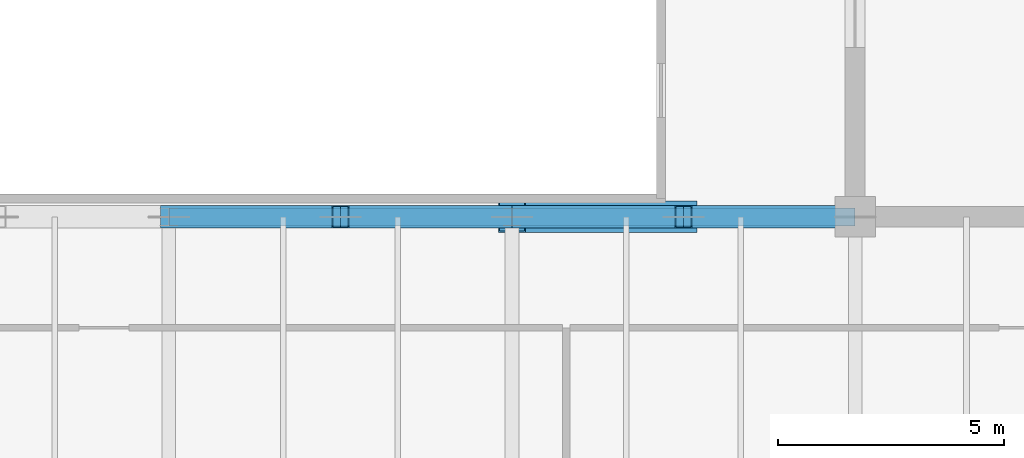
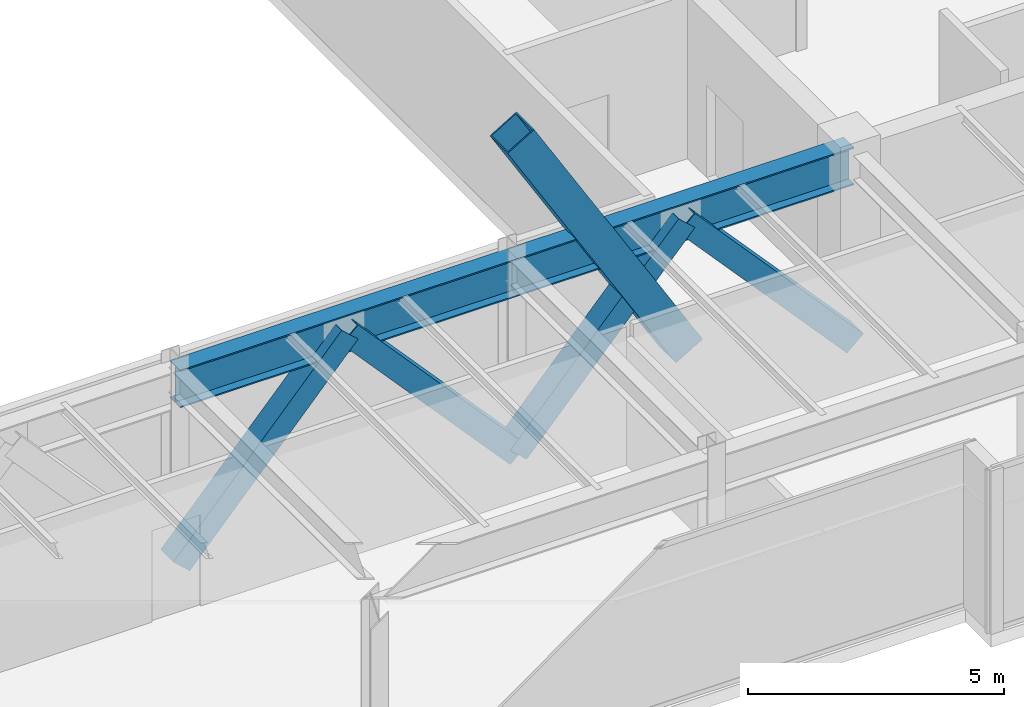
# One storey, part 12 of 32: 5 members, 2 beams.
"""IFC4 building model written with IfcOpenShell, lengths in metres."""

from ifc_helpers import new_model, si_unit, direction, frame, origin, origin_2d, place, context, subcontext, project, spatial, hollow_rectangle, i_section, extrude, source, transform, mapped, material, material_profile, profile_set, type_object, type_shapes, element, save


model = new_model("IFC4")

# Units and contexts
model_context = context("Model", 3, precision=1e-05, world=origin(), true_north=direction((0.0, 1.0)))
body_context = subcontext(model_context, "Body", "Model", "MODEL_VIEW")
ifc_project = project(units=[si_unit("LENGTHUNIT", "METRE"), si_unit("AREAUNIT", "SQUARE_METRE"), si_unit("VOLUMEUNIT", "CUBIC_METRE"), si_unit("PLANEANGLEUNIT", "RADIAN"), si_unit("MASSUNIT", "GRAM", prefix="KILO")], contexts=[model_context])

# Site, building, storey
site_placement = place(None, origin())
site = spatial("IfcSite", under=ifc_project, at=site_placement, CompositionType="ELEMENT")
building_placement = place(site_placement, origin())
building = spatial("IfcBuilding", under=site, at=building_placement, Name="Haelvirn Gate Laboratories", CompositionType="ELEMENT")
storey_placement = place(building_placement, frame((0.0, 0.0, 306.0)))
storey = spatial("IfcBuildingStorey", under=building, at=storey_placement, Name="L73", CompositionType="ELEMENT", Elevation=306.0)

# Beams
ifc_material = material(Name="Steel SM420", Category="steel")
ifc_material_profile_1 = material_profile(ifc_material, i_section(OverallWidth=0.39990234375, OverallDepth=0.89990234375, WebThickness=0.01904296875, FlangeThickness=0.031982421875, at=origin_2d()), Name="H-900x400x19x32")
ifc_profile_set_1 = profile_set([ifc_material_profile_1], Name="Steel SM420")
beam_type = type_object("IfcBeamType", Name="BM-TG-900", PredefinedType="BEAM", material=ifc_profile_set_1)
shared_shape_1 = source(origin(), body_context, "Body", "SweptSolid", [
    extrude(i_section(OverallWidth=0.39990234375, OverallDepth=0.89990234375, WebThickness=0.01904296875, FlangeThickness=0.031982421875, at=origin_2d()), origin(), (0.0, 0.0, 1.0), 7.60009765625),
])
type_shapes(beam_type, [shared_shape_1])
for number, where, z_axis, x_axis, name in (
    (1, (37.39990234375, 14.800048828125, 3.449951171875), (1.0, 0.0, 0.0), (0.0, 1.0, 0.0), "L73 Primary Girder Y14.8 (37.4-45.0)"),
    (2, (45.0, 14.800048828125, 3.449951171875), (1.0, 0.0, 0.0), (0.0, 1.0, 0.0), "L73 Primary Girder Y14.8 (45.0-52.6)"),
):
    element("IfcBeam", number, at=place(storey_placement, frame(where, z_axis=z_axis, x_axis=x_axis)), inside=storey, type_object=beam_type, Name=name, PredefinedType="BEAM", context=body_context, shape_type="MappedRepresentation", body=[
        mapped(shared_shape_1, transform((0.0, 0.0, 0.0), scale=1.0)),
    ])

# Members
ifc_material_profile_2 = material_profile(ifc_material, hollow_rectangle(XDim=0.699951171875, YDim=0.699951171875, WallThickness=0.031982421875, at=origin_2d()), Name="BOX-700x700x32")
ifc_profile_set_2 = profile_set([ifc_material_profile_2], Name="Steel SM420")
member_type_1 = type_object("IfcMemberType", Name="MEM-ARCH-RIB", PredefinedType="CHORD", material=ifc_profile_set_2)
shared_shape_2 = source(origin(), body_context, "Body", "SweptSolid", [
    extrude(hollow_rectangle(XDim=0.699951171875, YDim=0.699951171875, WallThickness=0.031982421875, at=origin_2d()), origin(), (0.0, 0.0, 1.0), 7.38134765625),
])
type_shapes(member_type_1, [shared_shape_2])
member_placement = place(storey_placement, frame((45.0, 14.800048828125, 6.78759765625), z_axis=(0.51481187824, 0.0, -0.857303172759), x_axis=(0.0, 1.0, 0.0)))
element("IfcMember", 3, at=member_placement, inside=storey, type_object=member_type_1, Name="Parabolic Steel Arch Rib Y14.8 Seg 7", PredefinedType="CHORD", context=body_context, shape_type="MappedRepresentation", body=[
    mapped(shared_shape_2, transform((0.0, 0.0, 0.0), scale=1.0)),
])
ifc_material_profile_3 = material_profile(ifc_material, hollow_rectangle(XDim=0.5, YDim=0.5, WallThickness=0.02197265625, at=origin_2d()), Name="BOX-500x500x22")
ifc_profile_set_3 = profile_set([ifc_material_profile_3], Name="Steel SM420")
member_type_2 = type_object("IfcMemberType", Name="MEM-ARCH-WEB", PredefinedType="BRACE", material=ifc_profile_set_3)
shared_shape_3 = source(origin(), body_context, "Body", "SweptSolid", [
    extrude(hollow_rectangle(XDim=0.5, YDim=0.5, WallThickness=0.02197265625, at=origin_2d()), origin(), (0.0, 0.0, 1.0), 5.663818359375),
])
type_shapes(member_type_2, [shared_shape_3])
for number, where, z_axis, x_axis, name in (
    (4, (37.39990234375, 14.800048828125, -0.75), (0.670922353302, 0.0, 0.741527609628), (0.0, 1.0, 0.0), "L73 Arch Truss Chevron Web Y14.8-3A"),
    (5, (41.199951171875, 14.800048828125, 3.449951171875), (0.670922353302, 0.0, -0.741527609628), (0.0, 1.0, 0.0), "L73 Arch Truss Chevron Web Y14.8-3B"),
    (6, (45.0, 14.800048828125, -0.75), (0.670922353302, 0.0, 0.741527609628), (0.0, 1.0, 0.0), "L73 Arch Truss Chevron Web Y14.8-4A"),
    (7, (48.800048828125, 14.800048828125, 3.449951171875), (0.670922353302, 0.0, -0.741527609628), (0.0, 1.0, 0.0), "L73 Arch Truss Chevron Web Y14.8-4B"),
):
    element("IfcMember", number, at=place(storey_placement, frame(where, z_axis=z_axis, x_axis=x_axis)), inside=storey, type_object=member_type_2, Name=name, PredefinedType="BRACE", context=body_context, shape_type="MappedRepresentation", body=[
        mapped(shared_shape_3, transform((0.0, 0.0, 0.0), scale=1.0)),
    ])

save(model, "model.ifc")
